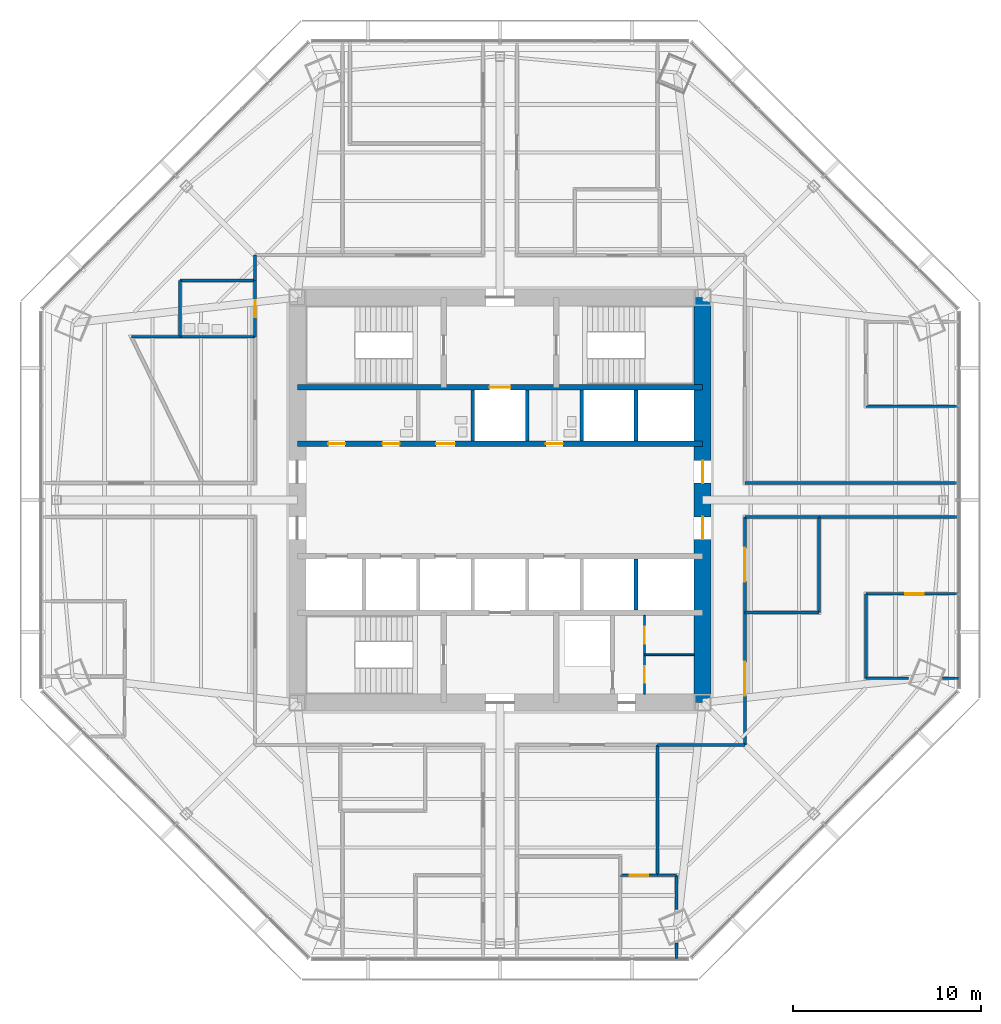
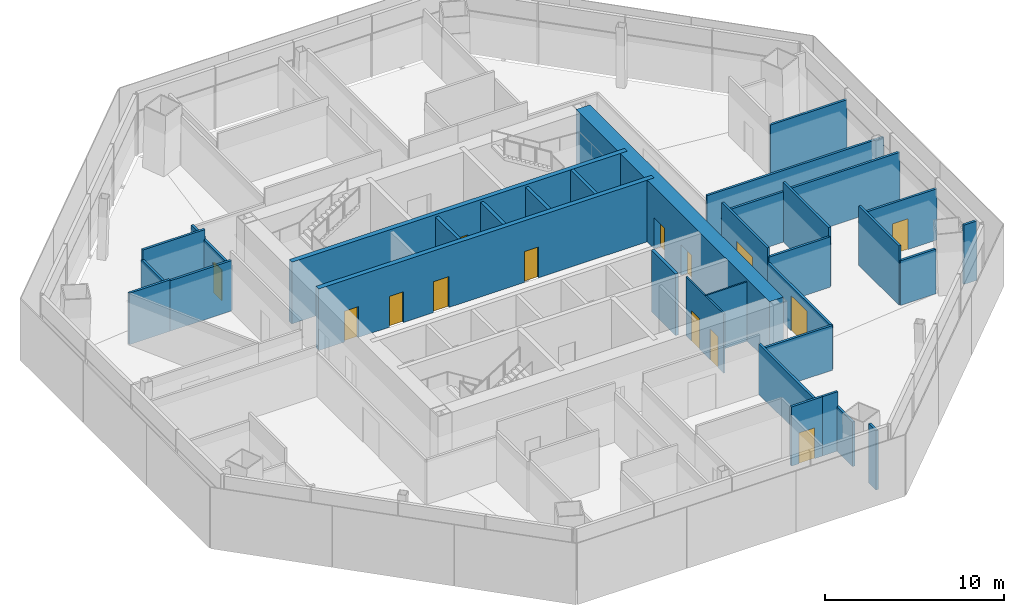
# One storey, part 10 of 15: 34 walls, 14 doors, 14 openings.
"""IFC4 building model written with IfcOpenShell, lengths in metres."""

from ifc_helpers import new_model, si_unit, direction, frame, frame_2d, origin, place, context, subcontext, project, spatial, rectangle, extrude, material, layer, layer_set, type_object, element, fill, save


model = new_model("IFC4")

# Units and contexts
model_context = context("Model", 3, precision=1e-05, world=origin(), true_north=direction((0.0, 1.0)))
body_context = subcontext(model_context, "Body", "Model", "MODEL_VIEW")
ifc_project = project(units=[si_unit("LENGTHUNIT", "METRE"), si_unit("AREAUNIT", "SQUARE_METRE"), si_unit("VOLUMEUNIT", "CUBIC_METRE"), si_unit("PLANEANGLEUNIT", "RADIAN"), si_unit("MASSUNIT", "GRAM", prefix="KILO")], contexts=[model_context])

# Site, building, storey
site_placement = place(None, origin())
site = spatial("IfcSite", under=ifc_project, at=site_placement, CompositionType="ELEMENT")
building_placement = place(site_placement, origin())
building = spatial("IfcBuilding", under=site, at=building_placement, Name="Mashrafa Tower", CompositionType="ELEMENT")
storey_placement = place(building_placement, frame((0.0, 0.0, 126.0)))
storey = spatial("IfcBuildingStorey", under=building, at=storey_placement, Name="L28", CompositionType="ELEMENT", Elevation=126.0)

# Wall, openings, doors
ifc_material_1 = material(Name="Concrete C60/75", Category="concrete")
ifc_layer_1 = layer(ifc_material_1, 0.300048828125)
ifc_layer_set_1 = layer_set([ifc_layer_1], Name="Core wall 300 C60/75")
wall_type_1 = type_object("IfcWallType", Name="Core wall 300 C60/75", PredefinedType="SOLIDWALL", material=ifc_layer_set_1)
wall_1_placement = place(storey_placement, frame((-10.800048828125, 3.0, 0.0), z_axis=(0.0, 0.0, 1.0), x_axis=(1.0, 0.0, 0.0)))
wall_1 = element("IfcWall", 1, at=wall_1_placement, inside=storey, type_object=wall_type_1, Name="Core wall CH-N L28", PredefinedType="SOLIDWALL", context=body_context, shape_type="SweptSolid", body=[
    extrude(rectangle(XDim=21.60009765625, YDim=0.300048828125, at=frame_2d((10.800048828125, 0.0))), origin(), (0.0, 0.0, 1.0), 4.199951171875),
])
opening_1_placement = place(wall_1_placement, frame((1.64990234375, 0.0, 0.0)))
opening_1 = element("IfcOpeningElement", 2, at=opening_1_placement, cuts=wall_1, Name="Opening 28.035", PredefinedType="OPENING", context=body_context, shape_type="SweptSolid", body=[
    extrude(rectangle(XDim=0.89990234375, YDim=2.10009765625, at=frame_2d((0.449951171875, 1.050048828125))), frame((0.0, 0.159912109375, 0.0), z_axis=(0.0, -1.0, 0.0), x_axis=(1.0, 0.0, 0.0)), (0.0, 0.0, 1.0), 0.320068359375),
])
opening_2_placement = place(wall_1_placement, frame((4.550048828125, 0.0, 0.0)))
opening_2 = element("IfcOpeningElement", 3, at=opening_2_placement, cuts=wall_1, Name="Opening 28.036", PredefinedType="OPENING", context=body_context, shape_type="SweptSolid", body=[
    extrude(rectangle(XDim=0.89990234375, YDim=2.10009765625, at=frame_2d((0.449951171875, 1.050048828125))), frame((0.0, 0.159912109375, 0.0), z_axis=(0.0, -1.0, 0.0), x_axis=(1.0, 0.0, 0.0)), (0.0, 0.0, 1.0), 0.320068359375),
])
opening_3_placement = place(wall_1_placement, frame((7.39990234375, 0.0, 0.0)))
opening_3 = element("IfcOpeningElement", 4, at=opening_3_placement, cuts=wall_1, Name="Opening 28.037", PredefinedType="OPENING", context=body_context, shape_type="SweptSolid", body=[
    extrude(rectangle(XDim=1.0, YDim=2.10009765625, at=frame_2d((0.5, 1.050048828125))), frame((0.0, 0.159912109375, 0.0), z_axis=(0.0, -1.0, 0.0), x_axis=(1.0, 0.0, 0.0)), (0.0, 0.0, 1.0), 0.320068359375),
])
opening_4_placement = place(wall_1_placement, frame((13.25, 0.0, 0.0)))
opening_4 = element("IfcOpeningElement", 5, at=opening_4_placement, cuts=wall_1, Name="Opening 28.038", PredefinedType="OPENING", context=body_context, shape_type="SweptSolid", body=[
    extrude(rectangle(XDim=0.89990234375, YDim=2.10009765625, at=frame_2d((0.449951171875, 1.050048828125))), frame((0.0, 0.159912109375, 0.0), z_axis=(0.0, -1.0, 0.0), x_axis=(1.0, 0.0, 0.0)), (0.0, 0.0, 1.0), 0.320068359375),
])
ifc_material_2 = material(Name="Timber door", Category="wood")
door_type_1 = type_object("IfcDoorType", Name="Accessible toilet door 1000 x 2100", OperationType="USERDEFINED", PredefinedType="DOOR", material=ifc_material_2)
door_1_placement = place(opening_3_placement, origin())
door_1 = element("IfcDoor", 6, at=door_1_placement, inside=storey, type_object=door_type_1, Name="Accessible WC L28 door", OperationType="SINGLE_SWING_LEFT", OverallHeight=2.10009765625, OverallWidth=1.0, PredefinedType="DOOR", context=body_context, shape_type="SweptSolid", body=[
    extrude(rectangle(XDim=1.0, YDim=2.10009765625, at=frame_2d((0.5, 1.050048828125))), frame((0.0, 0.02490234375, 0.0), z_axis=(0.0, -1.0, 0.0), x_axis=(1.0, 0.0, 0.0)), (0.0, 0.0, 1.0), 0.050048828125),
])
fill(opening_3, door_1)
ifc_material_3 = material(Name="Timber door", Category="wood")
door_type_2 = type_object("IfcDoorType", Name="Toilet door 900 x 2100", OperationType="USERDEFINED", PredefinedType="DOOR", material=ifc_material_3)
door_2_placement = place(opening_1_placement, origin())
door_2 = element("IfcDoor", 7, at=door_2_placement, inside=storey, type_object=door_type_2, Name="WC Female L28 door", OperationType="SINGLE_SWING_LEFT", OverallHeight=2.10009765625, OverallWidth=0.89990234375, PredefinedType="DOOR", context=body_context, shape_type="SweptSolid", body=[
    extrude(rectangle(XDim=0.89990234375, YDim=2.10009765625, at=frame_2d((0.449951171875, 1.050048828125))), frame((0.0, 0.02490234375, 0.0), z_axis=(0.0, -1.0, 0.0), x_axis=(1.0, 0.0, 0.0)), (0.0, 0.0, 1.0), 0.050048828125),
])
fill(opening_1, door_2)
door_3_placement = place(opening_2_placement, origin())
door_3 = element("IfcDoor", 8, at=door_3_placement, inside=storey, type_object=door_type_2, Name="WC Female L28 door", OperationType="SINGLE_SWING_RIGHT", OverallHeight=2.10009765625, OverallWidth=0.89990234375, PredefinedType="DOOR", context=body_context, shape_type="SweptSolid", body=[
    extrude(rectangle(XDim=0.89990234375, YDim=2.10009765625, at=frame_2d((0.449951171875, 1.050048828125))), frame((0.0, 0.02490234375, 0.0), z_axis=(0.0, -1.0, 0.0), x_axis=(1.0, 0.0, 0.0)), (0.0, 0.0, 1.0), 0.050048828125),
])
fill(opening_2, door_3)
door_4_placement = place(opening_4_placement, origin())
door_4 = element("IfcDoor", 9, at=door_4_placement, inside=storey, type_object=door_type_2, Name="WC Male L28 door", OperationType="SINGLE_SWING_LEFT", OverallHeight=2.10009765625, OverallWidth=0.89990234375, PredefinedType="DOOR", context=body_context, shape_type="SweptSolid", body=[
    extrude(rectangle(XDim=0.89990234375, YDim=2.10009765625, at=frame_2d((0.449951171875, 1.050048828125))), frame((0.0, 0.02490234375, 0.0), z_axis=(0.0, -1.0, 0.0), x_axis=(1.0, 0.0, 0.0)), (0.0, 0.0, 1.0), 0.050048828125),
])
fill(opening_4, door_4)

# Wall, opening, door
wall_2_placement = place(storey_placement, frame((-10.800048828125, 6.0, 0.0), z_axis=(0.0, 0.0, 1.0), x_axis=(1.0, 0.0, 0.0)))
wall_2 = element("IfcWall", 10, at=wall_2_placement, inside=storey, type_object=wall_type_1, Name="Core wall CB-N L28", PredefinedType="SOLIDWALL", context=body_context, shape_type="SweptSolid", body=[
    extrude(rectangle(XDim=21.60009765625, YDim=0.300048828125, at=frame_2d((10.800048828125, 0.0))), origin(), (0.0, 0.0, 1.0), 4.199951171875),
])
opening_5_placement = place(wall_2_placement, frame((10.25, 0.0, 0.0)))
opening_5 = element("IfcOpeningElement", 11, at=opening_5_placement, cuts=wall_2, Name="Opening 28.F1", PredefinedType="OPENING", context=body_context, shape_type="SweptSolid", body=[
    extrude(rectangle(XDim=1.10009765625, YDim=2.10009765625, at=frame_2d((0.550048828125, 1.050048828125))), frame((0.0, 0.159912109375, 0.0), z_axis=(0.0, -1.0, 0.0), x_axis=(1.0, 0.0, 0.0)), (0.0, 0.0, 1.0), 0.320068359375),
])
ifc_material_4 = material(Name="Steel door", Category="steel")
door_type_3 = type_object("IfcDoorType", Name="Lift landing door 1100 x 2100 90 min", OperationType="DOUBLE_DOOR_SLIDING", PredefinedType="DOOR", material=ifc_material_4)
door_5_placement = place(opening_5_placement, origin())
door_5 = element("IfcDoor", 12, at=door_5_placement, inside=storey, type_object=door_type_3, Name="Lift landing door F1 L28", OperationType="DOUBLE_DOOR_SLIDING", OverallHeight=2.10009765625, OverallWidth=1.10009765625, PredefinedType="DOOR", context=body_context, shape_type="SweptSolid", body=[
    extrude(rectangle(XDim=1.10009765625, YDim=2.10009765625, at=frame_2d((0.550048828125, 1.050048828125))), frame((0.0, 0.02490234375, 0.0), z_axis=(0.0, -1.0, 0.0), x_axis=(1.0, 0.0, 0.0)), (0.0, 0.0, 1.0), 0.050048828125),
])
fill(opening_5, door_5)

# Wall, openings, doors
ifc_material_5 = material(Name="Concrete C60/75", Category="concrete")
ifc_layer_2 = layer(ifc_material_5, 0.89990234375)
ifc_layer_set_2 = layer_set([ifc_layer_2], Name="Core wall 900 C60/75")
wall_type_2 = type_object("IfcWallType", Name="Core wall 900 C60/75", PredefinedType="SOLIDWALL", material=ifc_layer_set_2)
wall_3_placement = place(storey_placement, frame((10.800048828125, -10.800048828125, 0.0), z_axis=(0.0, 0.0, 1.0), x_axis=(0.0, 1.0, 0.0)))
wall_3 = element("IfcWall", 13, at=wall_3_placement, inside=storey, type_object=wall_type_2, Name="Core wall CW-E L28", PredefinedType="SOLIDWALL", context=body_context, shape_type="SweptSolid", body=[
    extrude(rectangle(XDim=21.60009765625, YDim=0.89990234375, at=frame_2d((10.800048828125, 0.0))), origin(), (0.0, 0.0, 1.0), 4.199951171875),
])
opening_6_placement = place(wall_3_placement, frame((11.699951171875, 0.0, 0.0)))
opening_6 = element("IfcOpeningElement", 14, at=opening_6_placement, cuts=wall_3, Name="Opening 28.022", PredefinedType="OPENING", context=body_context, shape_type="SweptSolid", body=[
    extrude(rectangle(XDim=1.199951171875, YDim=2.10009765625, at=frame_2d((0.60009765625, 1.050048828125))), frame((0.0, 0.4599609375, 0.0), z_axis=(0.0, -1.0, 0.0), x_axis=(1.0, 0.0, 0.0)), (0.0, 0.0, 1.0), 0.919921875),
])
opening_7_placement = place(wall_3_placement, frame((8.699951171875, 0.0, 0.0)))
opening_7 = element("IfcOpeningElement", 15, at=opening_7_placement, cuts=wall_3, Name="Opening 28.024", PredefinedType="OPENING", context=body_context, shape_type="SweptSolid", body=[
    extrude(rectangle(XDim=1.199951171875, YDim=2.10009765625, at=frame_2d((0.60009765625, 1.050048828125))), frame((0.0, 0.4599609375, 0.0), z_axis=(0.0, -1.0, 0.0), x_axis=(1.0, 0.0, 0.0)), (0.0, 0.0, 1.0), 0.919921875),
])
ifc_material_6 = material(Name="Steel door", Category="steel")
door_type_4 = type_object("IfcDoorType", Name="Lift hall door 1200 x 2100 90 min", OperationType="USERDEFINED", PredefinedType="DOOR", material=ifc_material_6)
door_6_placement = place(opening_6_placement, frame((1.199951171875, 0.0, 0.0), z_axis=(0.0, 0.0, 1.0), x_axis=(-1.0, 0.0, 0.0)))
door_6 = element("IfcDoor", 16, at=door_6_placement, inside=storey, type_object=door_type_4, Name="Lift hall door east L28", OperationType="SINGLE_SWING_LEFT", OverallHeight=2.10009765625, OverallWidth=1.199951171875, PredefinedType="DOOR", context=body_context, shape_type="SweptSolid", body=[
    extrude(rectangle(XDim=1.199951171875, YDim=2.10009765625, at=frame_2d((0.60009765625, 1.050048828125))), frame((0.0, 0.02490234375, 0.0), z_axis=(0.0, -1.0, 0.0), x_axis=(1.0, 0.0, 0.0)), (0.0, 0.0, 1.0), 0.050048828125),
])
fill(opening_6, door_6)
door_7_placement = place(opening_7_placement, frame((1.199951171875, 0.0, 0.0), z_axis=(0.0, 0.0, 1.0), x_axis=(-1.0, 0.0, 0.0)))
door_7 = element("IfcDoor", 17, at=door_7_placement, inside=storey, type_object=door_type_4, Name="Lift hall door east L28", OperationType="SINGLE_SWING_RIGHT", OverallHeight=2.10009765625, OverallWidth=1.199951171875, PredefinedType="DOOR", context=body_context, shape_type="SweptSolid", body=[
    extrude(rectangle(XDim=1.199951171875, YDim=2.10009765625, at=frame_2d((0.60009765625, 1.050048828125))), frame((0.0, 0.02490234375, 0.0), z_axis=(0.0, -1.0, 0.0), x_axis=(1.0, 0.0, 0.0)), (0.0, 0.0, 1.0), 0.050048828125),
])
fill(opening_7, door_7)

# Wall, opening, door
ifc_material_7 = material(Name="Gypsum board on steel studs", Category="steel")
ifc_layer_3 = layer(ifc_material_7, 0.14990234375)
ifc_layer_set_3 = layer_set([ifc_layer_3], Name="Corridor partition 150 1 hr")
wall_type_3 = type_object("IfcWallType", Name="Corridor partition 150 1 hr", PredefinedType="PARTITIONING", material=ifc_layer_set_3)
wall_4_placement = place(storey_placement, frame((-13.050048828125, 11.700927734375, 0.0), z_axis=(0.0, 0.0, 1.0), x_axis=(0.0, -1.0, 0.0)))
wall_4 = element("IfcWall", 18, at=wall_4_placement, inside=storey, type_object=wall_type_3, Name="Corridor wall L28-003", PredefinedType="PARTITIONING", context=body_context, shape_type="SweptSolid", body=[
    extrude(rectangle(XDim=3.001953125, YDim=0.14990234375, at=frame_2d((1.5009765625, 0.0))), origin(), (0.0, 0.0, 1.0), 3.0419921875),
])
opening_8_placement = place(wall_4_placement, frame((1.051025390625, 0.0, 0.0)))
opening_8 = element("IfcOpeningElement", 19, at=opening_8_placement, cuts=wall_4, Name="Opening 28.002", PredefinedType="OPENING", context=body_context, shape_type="SweptSolid", body=[
    extrude(rectangle(XDim=0.89990234375, YDim=2.10009765625, at=frame_2d((0.449951171875, 1.050048828125))), frame((0.0, 0.0849609375, 0.0), z_axis=(0.0, -1.0, 0.0), x_axis=(1.0, 0.0, 0.0)), (0.0, 0.0, 1.0), 0.169921875),
])
door_8_placement = place(opening_8_placement, frame((0.89990234375, 0.0, 0.0), z_axis=(0.0, 0.0, 1.0), x_axis=(-1.0, 0.0, 0.0)))
door_8 = element("IfcDoor", 20, at=door_8_placement, inside=storey, type_object=door_type_2, Name="Ablution Room L28 door", OperationType="SINGLE_SWING_RIGHT", OverallHeight=2.10009765625, OverallWidth=0.89990234375, PredefinedType="DOOR", context=body_context, shape_type="SweptSolid", body=[
    extrude(rectangle(XDim=0.89990234375, YDim=2.10009765625, at=frame_2d((0.449951171875, 1.050048828125))), frame((0.0, 0.02490234375, 0.0), z_axis=(0.0, -1.0, 0.0), x_axis=(1.0, 0.0, 0.0)), (0.0, 0.0, 1.0), 0.050048828125),
])
fill(opening_8, door_8)

wall_5_placement = place(storey_placement, frame((13.050048828125, -6.0009765625, 0.0), z_axis=(0.0, 0.0, 1.0), x_axis=(0.0, 1.0, 0.0)))
wall_5 = element("IfcWall", 21, at=wall_5_placement, inside=storey, type_object=wall_type_3, Name="Corridor wall L28-006", PredefinedType="PARTITIONING", context=body_context, shape_type="SweptSolid", body=[
    extrude(rectangle(XDim=5.10107421875, YDim=0.14990234375, at=frame_2d((2.550537109375, 0.0))), origin(), (0.0, 0.0, 1.0), 4.034912109375),
])
opening_9_placement = place(wall_5_placement, frame((1.650390625, 0.0, 0.0)))
opening_9 = element("IfcOpeningElement", 22, at=opening_9_placement, cuts=wall_5, Name="Opening 28.005", PredefinedType="OPENING", context=body_context, shape_type="SweptSolid", body=[
    extrude(rectangle(XDim=1.800048828125, YDim=2.39990234375, at=frame_2d((0.89990234375, 1.199951171875))), frame((0.0, 0.0849609375, 0.0), z_axis=(0.0, -1.0, 0.0), x_axis=(1.0, 0.0, 0.0)), (0.0, 0.0, 1.0), 0.169921875),
])
ifc_material_8 = material(Name="Steel door", Category="steel")
door_type_5 = type_object("IfcDoorType", Name="Door pair 1800 x 2400 90 min", OperationType="DOUBLE_DOOR_SINGLE_SWING", PredefinedType="DOOR", material=ifc_material_8)
door_9_placement = place(opening_9_placement, origin())
door_9 = element("IfcDoor", 23, at=door_9_placement, inside=storey, type_object=door_type_5, Name="Reception 28-S door", OperationType="DOUBLE_DOOR_SINGLE_SWING", OverallHeight=2.39990234375, OverallWidth=1.800048828125, PredefinedType="DOOR", context=body_context, shape_type="SweptSolid", body=[
    extrude(rectangle(XDim=1.800048828125, YDim=2.39990234375, at=frame_2d((0.89990234375, 1.199951171875))), frame((0.0, 0.02490234375, 0.0), z_axis=(0.0, -1.0, 0.0), x_axis=(1.0, 0.0, 0.0)), (0.0, 0.0, 1.0), 0.050048828125),
])
fill(opening_9, door_9)

# Walls
wall_6_placement = place(storey_placement, frame((13.050048828125, -0.89990234375, 0.0), z_axis=(0.0, 0.0, 1.0), x_axis=(1.0, 0.0, 0.0)))
element("IfcWall", 24, at=wall_6_placement, inside=storey, type_object=wall_type_3, Name="Corridor wall L28-007", PredefinedType="PARTITIONING", context=body_context, shape_type="SweptSolid", body=[
    extrude(rectangle(XDim=3.950927734375, YDim=0.14990234375, at=frame_2d((1.9755859375, 0.0))), origin(), (0.0, 0.0, 1.0), 3.425537109375),
])
wall_7_placement = place(storey_placement, frame((24.432373046875, 0.89990234375, 0.0), z_axis=(0.0, 0.0, 1.0), x_axis=(-1.0, 0.0, 0.0)))
element("IfcWall", 25, at=wall_7_placement, inside=storey, type_object=wall_type_3, Name="Corridor wall L28-011", PredefinedType="PARTITIONING", context=body_context, shape_type="SweptSolid", body=[
    extrude(rectangle(XDim=11.38232421875, YDim=0.14990234375, at=frame_2d((5.691162109375, 0.0))), origin(), (0.0, 0.0, 1.0), 3.425537109375),
])
wall_8_placement = place(storey_placement, frame((-13.050048828125, 13.050048828125, 0.0), z_axis=(0.0, 0.0, 1.0), x_axis=(0.0, -1.0, 0.0)))
element("IfcWall", 26, at=wall_8_placement, inside=storey, type_object=wall_type_3, Name="Corridor wall L28-018", PredefinedType="PARTITIONING", context=body_context, shape_type="SweptSolid", body=[
    extrude(rectangle(XDim=1.35107421875, YDim=0.14990234375, at=frame_2d((0.675537109375, 0.0))), origin(), (0.0, 0.0, 1.0), 3.184326171875),
])
wall_9_placement = place(storey_placement, frame((8.39892578125, -13.050048828125, 0.0), z_axis=(0.0, 0.0, 1.0), x_axis=(1.0, 0.0, 0.0)))
element("IfcWall", 27, at=wall_9_placement, inside=storey, type_object=wall_type_3, Name="Corridor wall L28-026", PredefinedType="PARTITIONING", context=body_context, shape_type="SweptSolid", body=[
    extrude(rectangle(XDim=4.651123046875, YDim=0.14990234375, at=frame_2d((2.32568359375, 0.0))), origin(), (0.0, 0.0, 1.0), 3.0419921875),
])

# Wall, opening, door
wall_10_placement = place(storey_placement, frame((13.050048828125, -13.050048828125, 0.0), z_axis=(0.0, 0.0, 1.0), x_axis=(0.0, 1.0, 0.0)))
wall_10 = element("IfcWall", 28, at=wall_10_placement, inside=storey, type_object=wall_type_3, Name="Corridor wall L28-027", PredefinedType="PARTITIONING", context=body_context, shape_type="SweptSolid", body=[
    extrude(rectangle(XDim=7.051025390625, YDim=0.14990234375, at=frame_2d((3.525390625, 0.0))), origin(), (0.0, 0.0, 1.0), 3.0419921875),
])
opening_10_placement = place(wall_10_placement, frame((2.62548828125, 0.0, 0.0)))
opening_10 = element("IfcOpeningElement", 29, at=opening_10_placement, cuts=wall_10, Name="Opening 28.020", PredefinedType="OPENING", context=body_context, shape_type="SweptSolid", body=[
    extrude(rectangle(XDim=1.800048828125, YDim=2.39990234375, at=frame_2d((0.89990234375, 1.199951171875))), frame((0.0, 0.0849609375, 0.0), z_axis=(0.0, -1.0, 0.0), x_axis=(1.0, 0.0, 0.0)), (0.0, 0.0, 1.0), 0.169921875),
])
ifc_material_9 = material(Name="Timber door", Category="wood")
door_type_6 = type_object("IfcDoorType", Name="Door pair 1800 x 2400", OperationType="DOUBLE_DOOR_SINGLE_SWING", PredefinedType="DOOR", material=ifc_material_9)
door_10_placement = place(opening_10_placement, frame((1.800048828125, 0.0, 0.0), z_axis=(0.0, 0.0, 1.0), x_axis=(-1.0, 0.0, 0.0)))
door_10 = element("IfcDoor", 30, at=door_10_placement, inside=storey, type_object=door_type_6, Name="Office Tenancy 28-S-SE1 door", OperationType="DOUBLE_DOOR_SINGLE_SWING", OverallHeight=2.39990234375, OverallWidth=1.800048828125, PredefinedType="DOOR", context=body_context, shape_type="SweptSolid", body=[
    extrude(rectangle(XDim=1.800048828125, YDim=2.39990234375, at=frame_2d((0.89990234375, 1.199951171875))), frame((0.0, 0.02490234375, 0.0), z_axis=(0.0, -1.0, 0.0), x_axis=(1.0, 0.0, 0.0)), (0.0, 0.0, 1.0), 0.050048828125),
])
fill(opening_10, door_10)

# Walls
wall_11_placement = place(storey_placement, frame((16.9990234375, -0.89990234375, 0.0), z_axis=(0.0, 0.0, 1.0), x_axis=(1.0, 0.0, 0.0)))
element("IfcWall", 31, at=wall_11_placement, inside=storey, type_object=wall_type_3, Name="Corridor wall L28-028", PredefinedType="PARTITIONING", context=body_context, shape_type="SweptSolid", body=[
    extrude(rectangle(XDim=7.433349609375, YDim=0.14990234375, at=frame_2d((3.716796875, 0.0))), origin(), (0.0, 0.0, 1.0), 3.49169921875),
])
wall_12_placement = place(storey_placement, frame((13.050048828125, -6.0, 0.0), z_axis=(0.0, 0.0, 1.0), x_axis=(1.0, 0.0, 0.0)))
element("IfcWall", 32, at=wall_12_placement, inside=storey, type_object=wall_type_3, Name="Corridor wall L28-041", PredefinedType="PARTITIONING", context=body_context, shape_type="SweptSolid", body=[
    extrude(rectangle(XDim=3.949951171875, YDim=0.14990234375, at=frame_2d((1.97509765625, 0.0))), origin(), (0.0, 0.0, 1.0), 3.425537109375),
])
wall_13_placement = place(storey_placement, frame((17.0, -6.0, 0.0), z_axis=(0.0, 0.0, 1.0), x_axis=(0.0, 1.0, 0.0)))
element("IfcWall", 33, at=wall_13_placement, inside=storey, type_object=wall_type_3, Name="Corridor wall L28-042", PredefinedType="PARTITIONING", context=body_context, shape_type="SweptSolid", body=[
    extrude(rectangle(XDim=5.10009765625, YDim=0.14990234375, at=frame_2d((2.550048828125, 0.0))), origin(), (0.0, 0.0, 1.0), 4.034912109375),
])

# Wall, openings, doors
ifc_material_10 = material(Name="Gypsum board on steel studs", Category="steel")
ifc_layer_4 = layer(ifc_material_10, 0.10009765625)
ifc_layer_set_4 = layer_set([ifc_layer_4], Name="Partition 100 1 hr")
wall_type_4 = type_object("IfcWallType", Name="Partition 100 1 hr", PredefinedType="PARTITIONING", material=ifc_layer_set_4)
wall_14_placement = place(storey_placement, frame((7.699951171875, -10.35009765625, 0.0), z_axis=(0.0, 0.0, 1.0), x_axis=(0.0, 1.0, 0.0)))
wall_14 = element("IfcWall", 34, at=wall_14_placement, inside=storey, type_object=wall_type_4, Name="Services lobby partition A L28", PredefinedType="PARTITIONING", context=body_context, shape_type="SweptSolid", body=[
    extrude(rectangle(XDim=4.2001953125, YDim=0.10009765625, at=frame_2d((2.10009765625, 0.0))), origin(), (0.0, 0.0, 1.0), 4.034912109375),
])
opening_11_placement = place(wall_14_placement, frame((2.699951171875, 0.0, 0.0)))
opening_11 = element("IfcOpeningElement", 35, at=opening_11_placement, cuts=wall_14, Name="Opening 28.033", PredefinedType="OPENING", context=body_context, shape_type="SweptSolid", body=[
    extrude(rectangle(XDim=0.89990234375, YDim=2.10009765625, at=frame_2d((0.449951171875, 1.050048828125))), frame((0.0, 0.06005859375, 0.0), z_axis=(0.0, -1.0, 0.0), x_axis=(1.0, 0.0, 0.0)), (0.0, 0.0, 1.0), 0.1201171875),
])
opening_12_placement = place(wall_14_placement, frame((0.60009765625, 0.0, 0.0)))
opening_12 = element("IfcOpeningElement", 36, at=opening_12_placement, cuts=wall_14, Name="Opening 28.034", PredefinedType="OPENING", context=body_context, shape_type="SweptSolid", body=[
    extrude(rectangle(XDim=0.89990234375, YDim=2.10009765625, at=frame_2d((0.449951171875, 1.050048828125))), frame((0.0, 0.06005859375, 0.0), z_axis=(0.0, -1.0, 0.0), x_axis=(1.0, 0.0, 0.0)), (0.0, 0.0, 1.0), 0.1201171875),
])
ifc_material_11 = material(Name="Timber door", Category="wood")
door_type_7 = type_object("IfcDoorType", Name="Store door 900 x 2100", OperationType="USERDEFINED", PredefinedType="DOOR", material=ifc_material_11)
door_11_placement = place(opening_11_placement, frame((0.89990234375, 0.0, 0.0), z_axis=(0.0, 0.0, 1.0), x_axis=(-1.0, 0.0, 0.0)))
door_11 = element("IfcDoor", 37, at=door_11_placement, inside=storey, type_object=door_type_7, Name="Communications Room L28 door", OperationType="SINGLE_SWING_RIGHT", OverallHeight=2.10009765625, OverallWidth=0.89990234375, PredefinedType="DOOR", context=body_context, shape_type="SweptSolid", body=[
    extrude(rectangle(XDim=0.89990234375, YDim=2.10009765625, at=frame_2d((0.449951171875, 1.050048828125))), frame((0.0, 0.02490234375, 0.0), z_axis=(0.0, -1.0, 0.0), x_axis=(1.0, 0.0, 0.0)), (0.0, 0.0, 1.0), 0.050048828125),
])
fill(opening_11, door_11)
door_12_placement = place(opening_12_placement, frame((0.89990234375, 0.0, 0.0), z_axis=(0.0, 0.0, 1.0), x_axis=(-1.0, 0.0, 0.0)))
door_12 = element("IfcDoor", 38, at=door_12_placement, inside=storey, type_object=door_type_7, Name="Cleaner's Store L28 door", OperationType="SINGLE_SWING_LEFT", OverallHeight=2.10009765625, OverallWidth=0.89990234375, PredefinedType="DOOR", context=body_context, shape_type="SweptSolid", body=[
    extrude(rectangle(XDim=0.89990234375, YDim=2.10009765625, at=frame_2d((0.449951171875, 1.050048828125))), frame((0.0, 0.02490234375, 0.0), z_axis=(0.0, -1.0, 0.0), x_axis=(1.0, 0.0, 0.0)), (0.0, 0.0, 1.0), 0.050048828125),
])
fill(opening_12, door_12)

# Walls
wall_15_placement = place(storey_placement, frame((7.699951171875, -8.25, 0.0), z_axis=(0.0, 0.0, 1.0), x_axis=(1.0, 0.0, 0.0)))
element("IfcWall", 39, at=wall_15_placement, inside=storey, type_object=wall_type_4, Name="Services lobby partition B L28", PredefinedType="PARTITIONING", context=body_context, shape_type="SweptSolid", body=[
    extrude(rectangle(XDim=2.650146484375, YDim=0.10009765625, at=frame_2d((1.3251953125, 0.0))), origin(), (0.0, 0.0, 1.0), 4.034912109375),
])
ifc_material_12 = material(Name="Gypsum board on steel studs", Category="steel")
ifc_layer_5 = layer(ifc_material_12, 0.14990234375)
ifc_layer_set_5 = layer_set([ifc_layer_5], Name="Partition 150")
wall_type_5 = type_object("IfcWallType", Name="Partition 150", PredefinedType="PARTITIONING", material=ifc_layer_set_5)
wall_16_placement = place(storey_placement, frame((-13.050048828125, 8.699951171875, 0.0), z_axis=(0.0, 0.0, 1.0), x_axis=(-1.0, 0.0, 0.0)))
element("IfcWall", 40, at=wall_16_placement, inside=storey, type_object=wall_type_5, Name="Partition wall L28-031", PredefinedType="PARTITIONING", context=body_context, shape_type="SweptSolid", body=[
    extrude(rectangle(XDim=4.0009765625, YDim=0.14990234375, at=frame_2d((2.00048828125, 0.0))), origin(), (0.0, 0.0, 1.0), 3.425537109375),
])
wall_17_placement = place(storey_placement, frame((-17.049072265625, 8.699951171875, 0.0), z_axis=(0.0, 0.0, 1.0), x_axis=(-1.0, 0.0, 0.0)))
element("IfcWall", 41, at=wall_17_placement, inside=storey, type_object=wall_type_5, Name="Partition wall L28-032", PredefinedType="PARTITIONING", context=body_context, shape_type="SweptSolid", body=[
    extrude(rectangle(XDim=2.600830078125, YDim=0.14990234375, at=frame_2d((1.30029296875, 0.0))), origin(), (0.0, 0.0, 1.0), 3.499267578125),
])
wall_18_placement = place(storey_placement, frame((-13.050048828125, 11.699951171875, 0.0), z_axis=(0.0, 0.0, 1.0), x_axis=(-1.0, 0.0, 0.0)))
element("IfcWall", 42, at=wall_18_placement, inside=storey, type_object=wall_type_5, Name="Partition wall L28-034", PredefinedType="PARTITIONING", context=body_context, shape_type="SweptSolid", body=[
    extrude(rectangle(XDim=4.0, YDim=0.14990234375, at=frame_2d((2.0, 0.0))), origin(), (0.0, 0.0, 1.0), 3.715087890625),
])
wall_19_placement = place(storey_placement, frame((-17.050048828125, 11.699951171875, 0.0), z_axis=(0.0, 0.0, 1.0), x_axis=(0.0, -1.0, 0.0)))
element("IfcWall", 43, at=wall_19_placement, inside=storey, type_object=wall_type_5, Name="Partition wall L28-035", PredefinedType="PARTITIONING", context=body_context, shape_type="SweptSolid", body=[
    extrude(rectangle(XDim=3.0, YDim=0.14990234375, at=frame_2d((1.5, 0.0))), origin(), (0.0, 0.0, 1.0), 3.0419921875),
])
wall_20_placement = place(storey_placement, frame((19.50048828125, 5.0, 0.0), z_axis=(0.0, 0.0, 1.0), x_axis=(1.0, 0.0, 0.0)))
element("IfcWall", 44, at=wall_20_placement, inside=storey, type_object=wall_type_5, Name="Partition wall L28-049", PredefinedType="PARTITIONING", context=body_context, shape_type="SweptSolid", body=[
    extrude(rectangle(XDim=4.931884765625, YDim=0.14990234375, at=frame_2d((2.4658203125, 0.0))), origin(), (0.0, 0.0, 1.0), 3.49169921875),
])

# Wall, opening, door
wall_21_placement = place(storey_placement, frame((24.432373046875, -5.0, 0.0), z_axis=(0.0, 0.0, 1.0), x_axis=(-1.0, 0.0, 0.0)))
wall_21 = element("IfcWall", 45, at=wall_21_placement, inside=storey, type_object=wall_type_5, Name="Partition wall L28-050", PredefinedType="PARTITIONING", context=body_context, shape_type="SweptSolid", body=[
    extrude(rectangle(XDim=4.931884765625, YDim=0.14990234375, at=frame_2d((2.4658203125, 0.0))), origin(), (0.0, 0.0, 1.0), 3.49169921875),
])
opening_13_placement = place(wall_21_placement, frame((1.846923828125, 0.0, 0.0)))
opening_13 = element("IfcOpeningElement", 46, at=opening_13_placement, cuts=wall_21, Name="Opening 28.008", PredefinedType="OPENING", context=body_context, shape_type="SweptSolid", body=[
    extrude(rectangle(XDim=1.0, YDim=2.10009765625, at=frame_2d((0.5, 1.050048828125))), frame((0.0, 0.0849609375, 0.0), z_axis=(0.0, -1.0, 0.0), x_axis=(1.0, 0.0, 0.0)), (0.0, 0.0, 1.0), 0.169921875),
])
ifc_material_13 = material(Name="Timber door", Category="wood")
door_type_8 = type_object("IfcDoorType", Name="Door 1000 x 2100", OperationType="USERDEFINED", PredefinedType="DOOR", material=ifc_material_13)
door_13_placement = place(opening_13_placement, origin())
door_13 = element("IfcDoor", 47, at=door_13_placement, inside=storey, type_object=door_type_8, Name="Meeting Room 28-S-SE1 door", OperationType="SINGLE_SWING_LEFT", OverallHeight=2.10009765625, OverallWidth=1.0, PredefinedType="DOOR", context=body_context, shape_type="SweptSolid", body=[
    extrude(rectangle(XDim=1.0, YDim=2.10009765625, at=frame_2d((0.5, 1.050048828125))), frame((0.0, 0.02490234375, 0.0), z_axis=(0.0, -1.0, 0.0), x_axis=(1.0, 0.0, 0.0)), (0.0, 0.0, 1.0), 0.050048828125),
])
fill(opening_13, door_13)

# Walls
wall_22_placement = place(storey_placement, frame((19.50048828125, -5.0, 0.0), z_axis=(0.0, 0.0, 1.0), x_axis=(0.0, -1.0, 0.0)))
element("IfcWall", 48, at=wall_22_placement, inside=storey, type_object=wall_type_5, Name="Partition wall L28-051", PredefinedType="PARTITIONING", context=body_context, shape_type="SweptSolid", body=[
    extrude(rectangle(XDim=4.5, YDim=0.14990234375, at=frame_2d((2.25, 0.0))), origin(), (0.0, 0.0, 1.0), 4.034912109375),
])
wall_23_placement = place(storey_placement, frame((19.50048828125, -9.5, 0.0), z_axis=(0.0, 0.0, 1.0), x_axis=(1.0, 0.0, 0.0)))
element("IfcWall", 49, at=wall_23_placement, inside=storey, type_object=wall_type_5, Name="Partition wall L28-052", PredefinedType="PARTITIONING", context=body_context, shape_type="SweptSolid", body=[
    extrude(rectangle(XDim=2.271728515625, YDim=0.14990234375, at=frame_2d((1.1357421875, 0.0))), origin(), (0.0, 0.0, 1.0), 3.0419921875),
])
wall_24_placement = place(storey_placement, frame((23.576904296875, -9.5, 0.0), z_axis=(0.0, 0.0, 1.0), x_axis=(1.0, 0.0, 0.0)))
element("IfcWall", 50, at=wall_24_placement, inside=storey, type_object=wall_type_5, Name="Partition wall L28-053", PredefinedType="PARTITIONING", context=body_context, shape_type="SweptSolid", body=[
    extrude(rectangle(XDim=0.85546875, YDim=0.14990234375, at=frame_2d((0.427734375, 0.0))), origin(), (0.0, 0.0, 1.0), 4.034912109375),
])
wall_25_placement = place(storey_placement, frame((9.407958984375, -24.432373046875, 0.0), z_axis=(0.0, 0.0, 1.0), x_axis=(0.0, 1.0, 0.0)))
element("IfcWall", 51, at=wall_25_placement, inside=storey, type_object=wall_type_5, Name="Partition wall L28-057", PredefinedType="PARTITIONING", context=body_context, shape_type="SweptSolid", body=[
    extrude(rectangle(XDim=0.8173828125, YDim=0.14990234375, at=frame_2d((0.40869140625, 0.0))), origin(), (0.0, 0.0, 1.0), 4.034912109375),
])
wall_26_placement = place(storey_placement, frame((9.407958984375, -21.810302734375, 0.0), z_axis=(0.0, 0.0, 1.0), x_axis=(0.0, 1.0, 0.0)))
element("IfcWall", 52, at=wall_26_placement, inside=storey, type_object=wall_type_5, Name="Partition wall L28-058", PredefinedType="PARTITIONING", context=body_context, shape_type="SweptSolid", body=[
    extrude(rectangle(XDim=1.809814453125, YDim=0.14990234375, at=frame_2d((0.90478515625, 0.0))), origin(), (0.0, 0.0, 1.0), 3.0419921875),
])
wall_27_placement = place(storey_placement, frame((9.407958984375, -20.00048828125, 0.0), z_axis=(0.0, 0.0, 1.0), x_axis=(-1.0, 0.0, 0.0)))
element("IfcWall", 53, at=wall_27_placement, inside=storey, type_object=wall_type_5, Name="Partition wall L28-059", PredefinedType="PARTITIONING", context=body_context, shape_type="SweptSolid", body=[
    extrude(rectangle(XDim=1.009033203125, YDim=0.14990234375, at=frame_2d((0.50439453125, 0.0))), origin(), (0.0, 0.0, 1.0), 4.034912109375),
])

# Wall, opening, door
wall_28_placement = place(storey_placement, frame((8.40087890625, -20.00048828125, 0.0), z_axis=(0.0, 0.0, 1.0), x_axis=(-1.0, 0.0, 0.0)))
wall_28 = element("IfcWall", 54, at=wall_28_placement, inside=storey, type_object=wall_type_5, Name="Partition wall L28-060", PredefinedType="PARTITIONING", context=body_context, shape_type="SweptSolid", body=[
    extrude(rectangle(XDim=1.992919921875, YDim=0.14990234375, at=frame_2d((0.99658203125, 0.0))), origin(), (0.0, 0.0, 1.0), 4.034912109375),
])
opening_14_placement = place(wall_28_placement, frame((0.49658203125, 0.0, 0.0)))
opening_14 = element("IfcOpeningElement", 55, at=opening_14_placement, cuts=wall_28, Name="Opening 28.010", PredefinedType="OPENING", context=body_context, shape_type="SweptSolid", body=[
    extrude(rectangle(XDim=1.0, YDim=2.10009765625, at=frame_2d((0.5, 1.050048828125))), frame((0.0, 0.0849609375, 0.0), z_axis=(0.0, -1.0, 0.0), x_axis=(1.0, 0.0, 0.0)), (0.0, 0.0, 1.0), 0.169921875),
])
door_14_placement = place(opening_14_placement, origin())
door_14 = element("IfcDoor", 56, at=door_14_placement, inside=storey, type_object=door_type_8, Name="Interview Room 28-S-SE2 door", OperationType="SINGLE_SWING_RIGHT", OverallHeight=2.10009765625, OverallWidth=1.0, PredefinedType="DOOR", context=body_context, shape_type="SweptSolid", body=[
    extrude(rectangle(XDim=1.0, YDim=2.10009765625, at=frame_2d((0.5, 1.050048828125))), frame((0.0, 0.02490234375, 0.0), z_axis=(0.0, -1.0, 0.0), x_axis=(1.0, 0.0, 0.0)), (0.0, 0.0, 1.0), 0.050048828125),
])
fill(opening_14, door_14)

# Walls
wall_29_placement = place(storey_placement, frame((8.39990234375, -13.050048828125, 0.0), z_axis=(0.0, 0.0, 1.0), x_axis=(0.0, -1.0, 0.0)))
element("IfcWall", 57, at=wall_29_placement, inside=storey, type_object=wall_type_5, Name="Partition wall L28-075", PredefinedType="PARTITIONING", context=body_context, shape_type="SweptSolid", body=[
    extrude(rectangle(XDim=6.950439453125, YDim=0.14990234375, at=frame_2d((3.47509765625, 0.0))), origin(), (0.0, 0.0, 1.0), 3.425537109375),
])
ifc_material_14 = material(Name="Gypsum shaft wall on steel studs", Category="steel")
ifc_layer_6 = layer(ifc_material_14, 0.199951171875)
ifc_layer_set_6 = layer_set([ifc_layer_6], Name="Shaft divider wall 200 2 hr")
wall_type_6 = type_object("IfcWallType", Name="Shaft divider wall 200 2 hr", PredefinedType="PARTITIONING", material=ifc_layer_set_6)
for number, where, z_axis, x_axis, name in (
    (58, (-1.449951171875, 3.14990234375, 0.0), (0.0, 0.0, 1.0), (0.0, 1.0, 0.0), "Shaft divider wall N3 L28"),
    (59, (1.449951171875, 3.14990234375, 0.0), (0.0, 0.0, 1.0), (0.0, 1.0, 0.0), "Shaft divider wall N4 L28"),
    (60, (4.35009765625, 3.14990234375, 0.0), (0.0, 0.0, 1.0), (0.0, 1.0, 0.0), "Shaft divider wall N5 L28"),
):
    element("IfcWall", number, at=place(storey_placement, frame(where, z_axis=z_axis, x_axis=x_axis)), inside=storey, type_object=wall_type_6, Name=name, PredefinedType="PARTITIONING", context=body_context, shape_type="SweptSolid", body=[
        extrude(rectangle(XDim=2.7001953125, YDim=0.199951171875, at=frame_2d((1.35009765625, 0.0))), origin(), (0.0, 0.0, 1.0), 4.034912109375),
    ])
for number, where, z_axis, x_axis, name in (
    (61, (7.25, 3.14990234375, 0.0), (0.0, 0.0, 1.0), (0.0, 1.0, 0.0), "Shaft divider wall N6 L28"),
    (62, (7.25, -5.85009765625, 0.0), (0.0, 0.0, 1.0), (0.0, 1.0, 0.0), "Shaft divider wall S6 L28"),
):
    element("IfcWall", number, at=place(storey_placement, frame(where, z_axis=z_axis, x_axis=x_axis)), inside=storey, type_object=wall_type_6, Name=name, PredefinedType="PARTITIONING", context=body_context, shape_type="SweptSolid", body=[
        extrude(rectangle(XDim=2.7001953125, YDim=0.199951171875, at=frame_2d((1.35009765625, 0.0))), origin(), (0.0, 0.0, 1.0), 4.199951171875),
    ])

save(model, "model.ifc")
